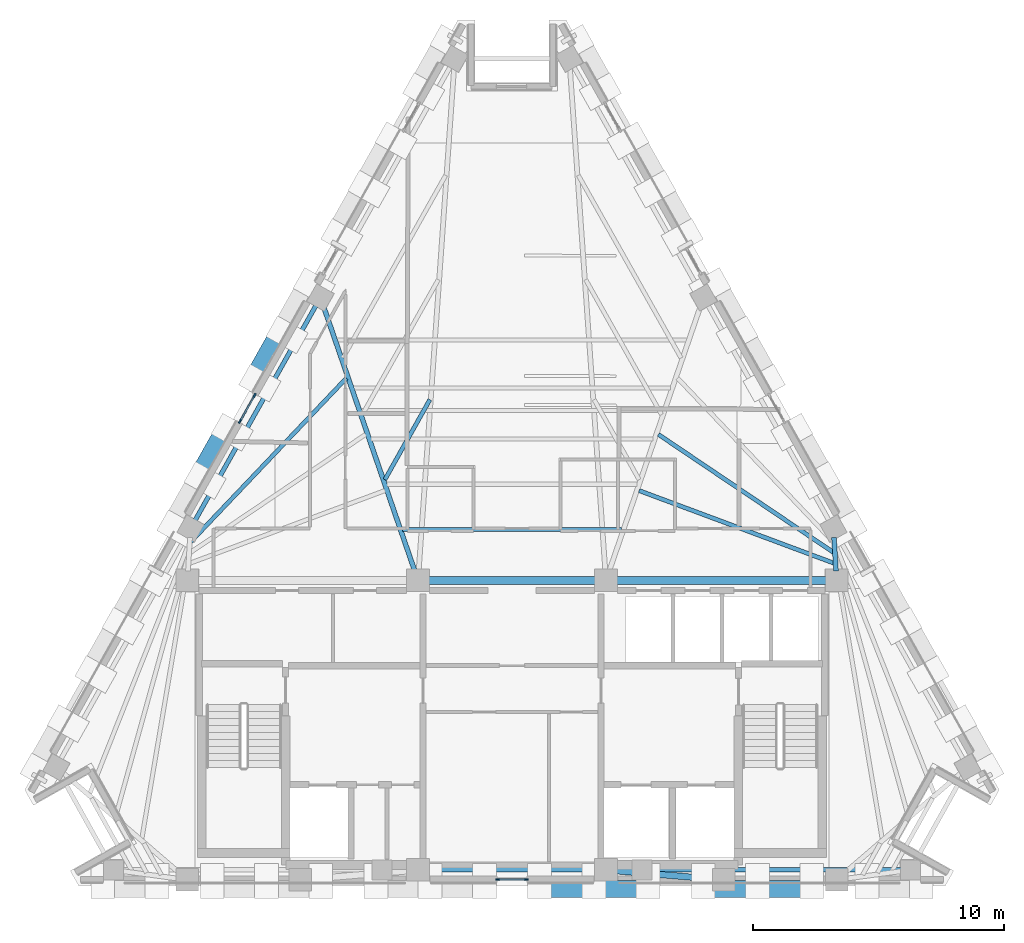
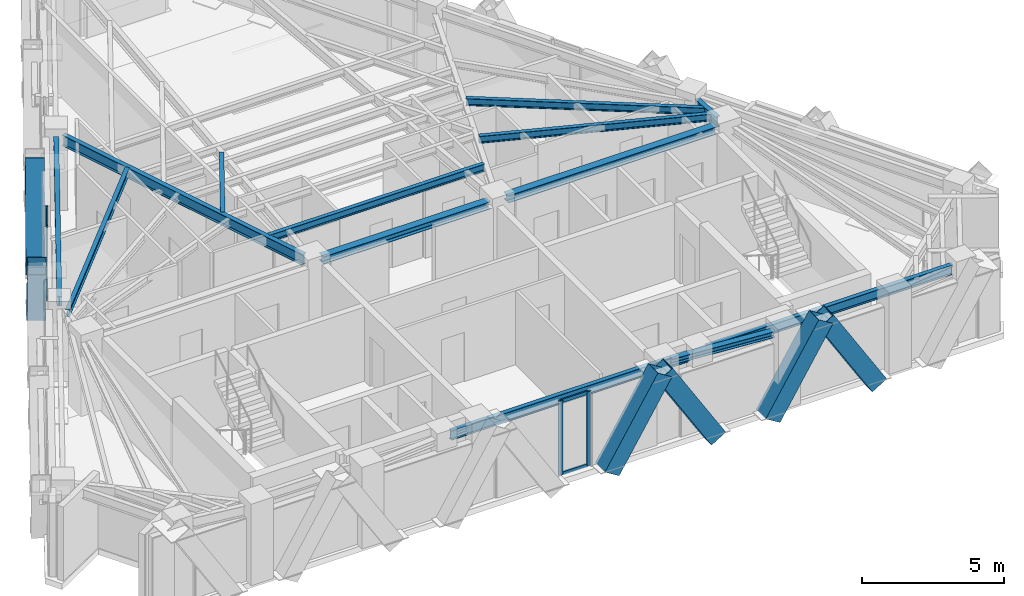
# One storey, part 2 of 9: 14 members, 13 beams, 2 elements without a shape of their own.
"""IFC4 building model written with IfcOpenShell, lengths in metres."""

import ifcopenshell
import ifcopenshell.guid

model = None  # the IFC model being written
_history = None  # IfcOwnerHistory: only IFC2X3 demands one
_inside = {}  # id of a spatial element -> (the spatial element, [elements in it])
_under = {}  # id of a project, library or spatial element -> (it, [spatial elements below it])
_declared = {}  # id of a project -> (the project, [libraries it declares])
_typed = {}  # id of a type object -> (the type object, [elements of that type])
_made_of = {}  # id of a material, layer set ... -> (it, [elements and type objects made of it])


def new_model(schema):
    """Start an empty IFC model of exactly this schema.

    Asked for "IFC4X3", IfcOpenShell would pick the latest addendum, in which some entities
    have other attributes; the version numbers below select the first issue.
    IFC2X3 requires an IfcOwnerHistory on every rooted entity: one is made here for all.
    """
    global model, _history
    if schema == "IFC4X3":
        model = ifcopenshell.file(schema_version=(4, 3, 0, 0))
    else:
        model = ifcopenshell.file(schema=schema)
    _inside.clear()
    _under.clear()
    _declared.clear()
    _typed.clear()
    _made_of.clear()
    _history = None
    if model.schema == "IFC2X3":
        org = make("IfcOrganization", Name="unknown")
        user = make(
            "IfcPersonAndOrganization",
            ThePerson=make("IfcPerson", FamilyName="unknown"),
            TheOrganization=org,
        )
        app = make(
            "IfcApplication",
            ApplicationDeveloper=org,
            Version="unknown",
            ApplicationFullName="unknown",
            ApplicationIdentifier="unknown",
        )
        _history = make(
            "IfcOwnerHistory",
            OwningUser=user,
            OwningApplication=app,
            ChangeAction="ADDED",
            CreationDate=0,
        )
    return model


def make(cls, **values):
    """One entity of the class cls with the attributes given. An attribute that is None is left unset."""
    return model.create_entity(
        cls, **{name: value for name, value in values.items() if value is not None}
    )


def rooted(cls, **values):
    """An entity with a GlobalId (a new one), such as an element, a storey or a relation."""
    return make(cls, GlobalId=ifcopenshell.guid.new(), OwnerHistory=_history, **values)


def si_unit(unit_type, name, prefix=None):
    """IfcSIUnit, for example si_unit("LENGTHUNIT", "METRE", prefix="MILLI")."""
    return make("IfcSIUnit", UnitType=unit_type, Prefix=prefix, Name=name)


def assignment(units):
    """IfcUnitAssignment: the units of a project."""
    return None if units is None else make("IfcUnitAssignment", Units=units)


def point(xyz):
    """IfcCartesianPoint."""
    return None if xyz is None else make("IfcCartesianPoint", Coordinates=xyz)


def direction(xyz):
    """IfcDirection."""
    return None if xyz is None else make("IfcDirection", DirectionRatios=xyz)


def frame(location, z_axis=None, x_axis=None):
    """IfcAxis2Placement3D, a coordinate frame: its origin and axes. An axis left out is left unset."""
    return make(
        "IfcAxis2Placement3D",
        Location=point(location),
        Axis=direction(z_axis),
        RefDirection=direction(x_axis),
    )


def frame_2d(location, x_axis=None):
    """IfcAxis2Placement2D, a coordinate frame in the plane: its origin and x axis."""
    return make(
        "IfcAxis2Placement2D", Location=point(location), RefDirection=direction(x_axis)
    )


def origin():
    """The frame at (0, 0, 0) with its axes left unset."""
    return frame((0.0, 0.0, 0.0))


def origin_2d():
    """The frame at (0, 0) in the plane with its x axis left unset."""
    return frame_2d((0.0, 0.0))


def place(relative_to, where):
    """IfcLocalPlacement: puts the frame where relative to a parent placement (None: the world)."""
    return make(
        "IfcLocalPlacement", PlacementRelTo=relative_to, RelativePlacement=where
    )


def context(
    kind, dimensions, precision=None, world=None, true_north=None, identifier=None
):
    """IfcGeometricRepresentationContext, for example the 3D "Model" context."""
    return make(
        "IfcGeometricRepresentationContext",
        ContextIdentifier=identifier,
        ContextType=kind,
        CoordinateSpaceDimension=dimensions,
        Precision=precision,
        WorldCoordinateSystem=world,
        TrueNorth=true_north,
    )


def subcontext(parent, identifier, kind, view, scale=None):
    """IfcGeometricRepresentationSubContext, for example "Body" below "Model"."""
    return make(
        "IfcGeometricRepresentationSubContext",
        ContextIdentifier=identifier,
        ContextType=kind,
        ParentContext=parent,
        TargetScale=scale,
        TargetView=view,
    )


def project(units=None, contexts=None):
    """IfcProject with its units and contexts."""
    return rooted(
        "IfcProject",
        Name="project",
        RepresentationContexts=contexts,
        UnitsInContext=assignment(units),
    )


def spatial(cls, under=None, at=None, **own):
    """A site, building, storey or space (cls), placed at a placement, below another one or the project."""
    s = rooted(cls, ObjectPlacement=at, **own)
    if under is not None:
        _under.setdefault(under.id(), (under, []))[1].append(s)
    return s


def profile(cls, at=None, kind="AREA", **sizes):
    """A parametric profile (cls). Its sizes go by their IFC names, for example OverallWidth=200.0."""
    return make(cls, ProfileType=kind, Position=at, **sizes)


def rectangle(**sizes):
    """IfcRectangleProfileDef."""
    return profile("IfcRectangleProfileDef", **sizes)


def hollow_rectangle(**sizes):
    """IfcRectangleHollowProfileDef."""
    return profile("IfcRectangleHollowProfileDef", **sizes)


def i_section(**sizes):
    """IfcIShapeProfileDef."""
    return profile("IfcIShapeProfileDef", **sizes)


def extrude(swept, where, along, depth):
    """IfcExtrudedAreaSolid: the profile swept, set in the frame where, extruded along a direction by depth."""
    return make(
        "IfcExtrudedAreaSolid",
        SweptArea=swept,
        Position=where,
        ExtrudedDirection=direction(along),
        Depth=depth,
    )


def shape(context_of_items, identifier, shape_type, items):
    """IfcShapeRepresentation: the items that make up one representation, for example the "Body"."""
    return make(
        "IfcShapeRepresentation",
        ContextOfItems=context_of_items,
        RepresentationIdentifier=identifier,
        RepresentationType=shape_type,
        Items=items,
    )


def material(Name=None, Category=None):
    """IfcMaterial."""
    return make("IfcMaterial", Name=Name, Category=Category)


def material_profile(
    of_material, cross_section, Name=None, Category=None, Priority=None
):
    """IfcMaterialProfile: a cross section and its material."""
    return make(
        "IfcMaterialProfile",
        Name=Name,
        Material=of_material,
        Profile=cross_section,
        Priority=Priority,
        Category=Category,
    )


def profile_set(profiles, Name=None, composite=None):
    """IfcMaterialProfileSet."""
    return make(
        "IfcMaterialProfileSet",
        Name=Name,
        MaterialProfiles=profiles,
        CompositeProfile=composite,
    )


def made_of(thing, what):
    """Note that an element or type object is made of a material, layer set ...; save() writes the relation."""
    if what is not None:
        _made_of.setdefault(what.id(), (what, []))[1].append(thing)
    return thing


def type_object(cls, material=None, **own):
    """A type object (cls), such as IfcWallType, which elements share."""
    return made_of(rooted(cls, **own), material)


def element(
    cls,
    number,
    at=None,
    inside=None,
    cuts=None,
    type_object=None,
    material=None,
    context=None,
    identifier="Body",
    shape_type=None,
    held_by="IfcProductDefinitionShape",
    body=None,
    shapes=None,
    **own,
):
    """One element of the class cls, such as IfcWall. Its Tag is "e" and its number.

    at: its placement. inside: the storey or other place that contains it. cuts: it is an
    opening in that element (IfcRelVoidsElement). A single representation is given by context,
    identifier, shape_type and body (its items); several are given by shapes. held_by: the class
    of the entity that holds the representations. save() writes the other relations.
    """
    e = rooted(cls, Tag="e%d" % number, ObjectPlacement=at, **own)
    if body is not None:
        shapes = [shape(context, identifier, shape_type, body)]
    if shapes is not None:
        e.Representation = make(held_by, Representations=shapes)
    if inside is not None:
        _inside.setdefault(inside.id(), (inside, []))[1].append(e)
    if cuts is not None:
        rooted(
            "IfcRelVoidsElement", RelatingBuildingElement=cuts, RelatedOpeningElement=e
        )
    if type_object is not None:
        _typed.setdefault(type_object.id(), (type_object, []))[1].append(e)
    return made_of(e, material)


def aggregate(whole, parts):
    """IfcRelAggregates: a whole, such as a stair, and the parts it consists of."""
    return rooted("IfcRelAggregates", RelatingObject=whole, RelatedObjects=parts)


def save(model, path):
    """Write the relations noted so far, then the file.

    IfcRelAggregates (storeys below a building ...), IfcRelContainedInSpatialStructure (elements
    in a storey), IfcRelDefinesByType, IfcRelAssociatesMaterial and IfcRelDeclares: one each for
    every whole, place, type object, material and project.
    """
    for whole, parts in _under.values():
        aggregate(whole, parts)
    for where, things in _inside.values():
        rooted(
            "IfcRelContainedInSpatialStructure",
            RelatedElements=things,
            RelatingStructure=where,
        )
    for kind, things in _typed.values():
        rooted("IfcRelDefinesByType", RelatedObjects=things, RelatingType=kind)
    for what, things in _made_of.values():
        rooted("IfcRelAssociatesMaterial", RelatedObjects=things, RelatingMaterial=what)
    for by, libraries in _declared.values():
        rooted("IfcRelDeclares", RelatingContext=by, RelatedDefinitions=libraries)
    model.write(path)


model = new_model("IFC4")

# Units and contexts
model_context = context("Model", 3, precision=1e-05, world=origin(), true_north=direction((0.0, 1.0)))
body_context = subcontext(model_context, "Body", "Model", "MODEL_VIEW")
ifc_project = project(units=[si_unit("LENGTHUNIT", "METRE"), si_unit("AREAUNIT", "SQUARE_METRE"), si_unit("VOLUMEUNIT", "CUBIC_METRE"), si_unit("PLANEANGLEUNIT", "RADIAN"), si_unit("MASSUNIT", "GRAM", prefix="KILO")], contexts=[model_context])

# Site, building, storey
site_placement = place(None, origin())
site = spatial("IfcSite", under=ifc_project, at=site_placement, CompositionType="ELEMENT")
building_placement = place(site_placement, origin())
building = spatial("IfcBuilding", under=site, at=building_placement, Name="Quenlor Broadcast Tower", CompositionType="ELEMENT")
storey_placement = place(building_placement, frame((0.0, 0.0, 267.39990234375)))
storey = spatial("IfcBuildingStorey", under=building, at=storey_placement, Name="L74", CompositionType="ELEMENT", Elevation=267.39990234375)

# Curtain wall, members
ifc_material_1 = material(Name="Architectural Terracotta and Low-E Glazing", Category="masonry")
curtain_wall_type = type_object("IfcCurtainWallType", Name="Unitised Terracotta Curtain Wall System Z5", PredefinedType="NOTDEFINED", material=ifc_material_1)
curtain_wall_1_placement = place(storey_placement, origin())
curtain_wall_1 = element("IfcCurtainWall", 1, at=curtain_wall_1_placement, inside=storey, type_object=curtain_wall_type, Name="L74 Curtain Wall CW5 (L74-S-G1)", PredefinedType="NOTDEFINED")
ifc_material_2 = material(Name="Aluminium 6063-T6", Category="aluminium")
ifc_material_profile_1 = material_profile(ifc_material_2, rectangle(XDim=0.06494140625, YDim=0.169921875, at=origin_2d()))
ifc_profile_set_1 = profile_set([ifc_material_profile_1], Name="Aluminium 6063-T6 MULL65x170")
member_type_1 = type_object("IfcMemberType", Name="CW5 Aluminium Mullion MULL_CW5", PredefinedType="MULLION", material=ifc_profile_set_1)
member_1_placement = place(storey_placement, frame((0.5732421875, -16.72509765625, 0.0), z_axis=(0.0, 0.0, 1.0), x_axis=(0.0, -1.0, 0.0)))
member_1 = element("IfcMember", 2, at=member_1_placement, type_object=member_type_1, Name="CW5 mullion 1", PredefinedType="MULLION", context=body_context, shape_type="SweptSolid", body=[
    extrude(rectangle(XDim=0.06494140625, YDim=0.169921875, at=origin_2d()), origin(), (0.0, 0.0, 1.0), 3.18017578125),
])
member_2_placement = place(storey_placement, frame((-0.5732421875, -16.72509765625, 0.0), z_axis=(0.0, 0.0, 1.0), x_axis=(0.0, -1.0, 0.0)))
member_2 = element("IfcMember", 3, at=member_2_placement, type_object=member_type_1, Name="CW5 mullion 2", PredefinedType="MULLION", context=body_context, shape_type="SweptSolid", body=[
    extrude(rectangle(XDim=0.06494140625, YDim=0.169921875, at=origin_2d()), origin(), (0.0, 0.0, 1.0), 3.18017578125),
])

curtain_wall_2_placement = place(storey_placement, origin())
curtain_wall_2 = element("IfcCurtainWall", 4, at=curtain_wall_2_placement, inside=storey, type_object=curtain_wall_type, Name="L74 Curtain Wall CW5 (L74-NW-G1)", PredefinedType="NOTDEFINED")
member_3_placement = place(storey_placement, frame((-10.853271484375, 1.54443359375, 0.0), z_axis=(0.0, 0.0, 1.0), x_axis=(-0.871592489955, 0.490231100048, 0.0)))
member_3 = element("IfcMember", 5, at=member_3_placement, type_object=member_type_1, Name="CW5 mullion 1", PredefinedType="MULLION", context=body_context, shape_type="SweptSolid", body=[
    extrude(rectangle(XDim=0.06494140625, YDim=0.169921875, at=origin_2d()), origin(), (0.0, 0.0, 1.0), 3.18017578125),
])
member_4_placement = place(storey_placement, frame((-10.267333984375, 2.586181640625, 0.0), z_axis=(0.0, 0.0, 1.0), x_axis=(-0.871592489955, 0.490231100048, 0.0)))
member_4 = element("IfcMember", 6, at=member_4_placement, type_object=member_type_1, Name="CW5 mullion 2", PredefinedType="MULLION", context=body_context, shape_type="SweptSolid", body=[
    extrude(rectangle(XDim=0.06494140625, YDim=0.169921875, at=origin_2d()), origin(), (0.0, 0.0, 1.0), 3.18017578125),
])

# Member
ifc_material_3 = material(Name="Aluminium 6063-T6", Category="aluminium")
ifc_material_profile_2 = material_profile(ifc_material_3, rectangle(XDim=0.06494140625, YDim=0.139892578125, at=origin_2d()))
ifc_profile_set_2 = profile_set([ifc_material_profile_2], Name="Aluminium 6063-T6 TRAN65x140")
member_type_2 = type_object("IfcMemberType", Name="CW5 Aluminium Transom TRAN_CW5", PredefinedType="USERDEFINED", material=ifc_profile_set_2)
member_5_placement = place(storey_placement, frame((0.540771484375, -16.72509765625, 0.03271484375), z_axis=(-1.0, 0.0, 0.0), x_axis=(0.0, -1.0, 0.0)))
member_5 = element("IfcMember", 7, at=member_5_placement, type_object=member_type_2, Name="CW5 transom 1.1", ObjectType="TRANSOM", PredefinedType="USERDEFINED", context=body_context, shape_type="SweptSolid", body=[
    extrude(rectangle(XDim=0.06494140625, YDim=0.139892578125, at=origin_2d()), origin(), (0.0, 0.0, 1.0), 1.08154296875),
])

member_6_placement = place(storey_placement, frame((0.540771484375, -16.72509765625, 3.147705078125), z_axis=(-1.0, 0.0, 0.0), x_axis=(0.0, -1.0, 0.0)))
member_6 = element("IfcMember", 8, at=member_6_placement, type_object=member_type_2, Name="CW5 transom 1.2", ObjectType="TRANSOM", PredefinedType="USERDEFINED", context=body_context, shape_type="SweptSolid", body=[
    extrude(rectangle(XDim=0.06494140625, YDim=0.139892578125, at=origin_2d()), origin(), (0.0, 0.0, 1.0), 1.08154296875),
])

aggregate(curtain_wall_1, [member_1, member_2, member_5, member_6])

member_7_placement = place(storey_placement, frame((-10.83740234375, 1.57275390625, 0.03271484375), z_axis=(0.490312513966, 0.871546693327, 0.0), x_axis=(-0.871546693327, 0.490312513966, 0.0)))
member_7 = element("IfcMember", 9, at=member_7_placement, type_object=member_type_2, Name="CW5 transom 1.1", ObjectType="TRANSOM", PredefinedType="USERDEFINED", context=body_context, shape_type="SweptSolid", body=[
    extrude(rectangle(XDim=0.06494140625, YDim=0.139892578125, at=origin_2d()), origin(), (0.0, 0.0, 1.0), 1.13037109375),
])

member_8_placement = place(storey_placement, frame((-10.83740234375, 1.57275390625, 3.147705078125), z_axis=(0.490312513966, 0.871546693327, 0.0), x_axis=(-0.871546693327, 0.490312513966, 0.0)))
member_8 = element("IfcMember", 10, at=member_8_placement, type_object=member_type_2, Name="CW5 transom 1.2", ObjectType="TRANSOM", PredefinedType="USERDEFINED", context=body_context, shape_type="SweptSolid", body=[
    extrude(rectangle(XDim=0.06494140625, YDim=0.139892578125, at=origin_2d()), origin(), (0.0, 0.0, 1.0), 1.13037109375),
])

aggregate(curtain_wall_2, [member_3, member_4, member_7, member_8])

# Beams
ifc_material_4 = material(Name="Steel S355", Category="steel")
ifc_material_profile_3 = material_profile(ifc_material_4, i_section(OverallWidth=0.304931640625, OverallDepth=0.30810546875, WebThickness=0.010009765625, FlangeThickness=0.015380859375, FilletRadius=0.0166015625, at=origin_2d()))
ifc_profile_set_3 = profile_set([ifc_material_profile_3], Name="Steel S355 310UC96.8")
beam_type_1 = type_object("IfcBeamType", Name="Core Header Beam Steel S355 310UC96.8", PredefinedType="BEAM", material=ifc_profile_set_3)
beam_1_placement = place(storey_placement, frame((-3.389892578125, -4.800048828125, 3.026123046875), z_axis=(1.0, 0.0, 0.0), x_axis=(0.0, 1.0, 0.0)))
element("IfcBeam", 11, at=beam_1_placement, inside=storey, type_object=beam_type_1, Name="L74 Core Header Beam 2", PredefinedType="BEAM", context=body_context, shape_type="SweptSolid", body=[
    extrude(i_section(OverallWidth=0.304931640625, OverallDepth=0.30810546875, WebThickness=0.010009765625, FlangeThickness=0.015380859375, FilletRadius=0.0166015625, at=origin_2d()), origin(), (0.0, 0.0, 1.0), 6.77978515625),
])
ifc_material_5 = material(Name="Steel S355", Category="steel")
ifc_material_profile_4 = material_profile(ifc_material_5, i_section(OverallWidth=0.25390625, OverallDepth=0.25390625, WebThickness=0.008544921875, FlangeThickness=0.01416015625, FilletRadius=0.013916015625, at=origin_2d()))
ifc_profile_set_4 = profile_set([ifc_material_profile_4], Name="Steel S355 250UC72.9")
beam_type_2 = type_object("IfcBeamType", Name="Core Opening Lintel Beam Steel S355 250UC72.9", PredefinedType="LINTEL", material=ifc_profile_set_4)
beam_2_placement = place(storey_placement, frame((4.108642578125, -16.380615234375, 3.05322265625), z_axis=(0.996399763903, -0.084779186679, 0.0), x_axis=(0.084779186679, 0.996399763903, 0.0)))
element("IfcBeam", 12, at=beam_2_placement, inside=storey, type_object=beam_type_2, Name="L74 Core Opening Lintel Beam 5", PredefinedType="LINTEL", context=body_context, shape_type="SweptSolid", body=[
    extrude(i_section(OverallWidth=0.25390625, OverallDepth=0.25390625, WebThickness=0.008544921875, FlangeThickness=0.01416015625, FilletRadius=0.013916015625, at=origin_2d()), origin(), (0.0, 0.0, 1.0), 3.9970703125),
])
ifc_material_6 = material(Name="Steel S355", Category="steel")
ifc_material_profile_5 = material_profile(ifc_material_6, i_section(OverallWidth=0.306884765625, OverallDepth=0.314697265625, WebThickness=0.011962890625, FlangeThickness=0.018798828125, FilletRadius=0.0166015625, at=origin_2d()))
ifc_profile_set_5 = profile_set([ifc_material_profile_5], Name="Steel S355 310UC118")
beam_type_3 = type_object("IfcBeamType", Name="Core Tie Beam Steel S355 310UC118", PredefinedType="BEAM", material=ifc_profile_set_5)
beam_3_placement = place(storey_placement, frame((4.110107421875, -4.800048828125, 3.022705078125), z_axis=(1.0, 0.0, 0.0), x_axis=(0.0, 1.0, 0.0)))
element("IfcBeam", 13, at=beam_3_placement, inside=storey, type_object=beam_type_3, Name="L74 Core Tie Beam 3", PredefinedType="BEAM", context=body_context, shape_type="SweptSolid", body=[
    extrude(i_section(OverallWidth=0.306884765625, OverallDepth=0.314697265625, WebThickness=0.011962890625, FlangeThickness=0.018798828125, FilletRadius=0.0166015625, at=origin_2d()), origin(), (0.0, 0.0, 1.0), 8.47998046875),
])

# Members
ifc_material_7 = material(Name="Steel S355", Category="steel")
ifc_material_profile_6 = material_profile(ifc_material_7, hollow_rectangle(XDim=0.679931640625, YDim=0.679931640625, WallThickness=0.02001953125, at=origin_2d()))
ifc_profile_set_6 = profile_set([ifc_material_profile_6], Name="Steel S355 RHS680x680x20")
member_type_3 = type_object("IfcMemberType", Name="Perimeter Diagonal Lattice Brace Z5-Crown Steel S355 RHS680x20", PredefinedType="BRACE", material=ifc_profile_set_6)
for number, where, z_axis, x_axis, name in (
    (14, (11.96240234375, -17.1201171875, -0.119873046875), (-0.5236596973, 0.0, 0.851927532965), (0.0, -1.0, 0.0), "L74 Perimeter Diamond Lattice S-C1S"),
    (15, (5.430419921875, -17.1201171875, -0.119873046875), (-0.5236596973, 0.0, 0.851927532965), (0.0, -1.0, 0.0), "L74 Perimeter Diamond Lattice S-C2S"),
):
    element("IfcMember", number, at=place(storey_placement, frame(where, z_axis=z_axis, x_axis=x_axis)), inside=storey, type_object=member_type_3, Name=name, PredefinedType="BRACE", context=body_context, shape_type="SweptSolid", body=[
        extrude(hollow_rectangle(XDim=0.679931640625, YDim=0.679931640625, WallThickness=0.02001953125, at=origin_2d()), origin(), (0.0, 0.0, 1.0), 4.1083984375),
    ])
for number, where, z_axis, x_axis, name in (
    (16, (7.6337890625, -17.1201171875, -0.119873046875), (0.523616565236, 0.0, 0.85195404372), (0.0, 1.0, 0.0), "L74 Perimeter Diamond Lattice S-C2B"),
    (17, (1.101806640625, -17.1201171875, -0.119873046875), (0.523616565236, 0.0, 0.85195404372), (0.0, 1.0, 0.0), "L74 Perimeter Diamond Lattice S-C3B"),
):
    element("IfcMember", number, at=place(storey_placement, frame(where, z_axis=z_axis, x_axis=x_axis)), inside=storey, type_object=member_type_3, Name=name, PredefinedType="BRACE", context=body_context, shape_type="SweptSolid", body=[
        extrude(hollow_rectangle(XDim=0.679931640625, YDim=0.679931640625, WallThickness=0.02001953125, at=origin_2d()), origin(), (0.0, 0.0, 1.0), 4.108154296875),
    ])
for number, where, z_axis, x_axis, name in (
    (18, (-10.35302734375, 3.2392578125, -0.119873046875), (0.260563732169, 0.463283497491, 0.847038926161), (-0.871602253711, 0.49021374045, 0.0), "L74 Perimeter Diamond Lattice NW-C3S"),
    (19, (-11.4560546875, 1.2783203125, -0.119873046875), (-0.260618804175, -0.463276364439, 0.847025884529), (0.8715547569, -0.490298180422, 0.0), "L74 Perimeter Diamond Lattice NW-C3B"),
):
    element("IfcMember", number, at=place(storey_placement, frame(where, z_axis=z_axis, x_axis=x_axis)), inside=storey, type_object=member_type_3, Name=name, PredefinedType="BRACE", context=body_context, shape_type="SweptSolid", body=[
        extrude(hollow_rectangle(XDim=0.679931640625, YDim=0.679931640625, WallThickness=0.02001953125, at=origin_2d()), origin(), (0.0, 0.0, 1.0), 4.132080078125),
    ])

# Beams
ifc_material_8 = material(Name="Steel S355", Category="steel")
ifc_material_profile_7 = material_profile(ifc_material_8, i_section(OverallWidth=0.177978515625, OverallDepth=0.406494140625, WebThickness=0.0078125, FlangeThickness=0.0126953125, FilletRadius=0.011474609375, at=origin_2d()))
ifc_profile_set_7 = profile_set([ifc_material_profile_7], Name="Steel S355 410UB59.7")
beam_type_4 = type_object("IfcBeamType", Name="Perimeter Spandrel Beam Z5 Steel S355 410UB59.7", PredefinedType="SPANDREL", material=ifc_profile_set_7)
beam_4_placement = place(storey_placement, frame((-4.823974609375, -16.35009765625, 2.976806640625), z_axis=(1.0, 0.0, 0.0), x_axis=(0.0, 1.0, 0.0)))
element("IfcBeam", 20, at=beam_4_placement, inside=storey, type_object=beam_type_4, Name="L74 Spandrel Beam S2-S3", PredefinedType="SPANDREL", context=body_context, shape_type="SweptSolid", body=[
    extrude(i_section(OverallWidth=0.177978515625, OverallDepth=0.406494140625, WebThickness=0.0078125, FlangeThickness=0.0126953125, FilletRadius=0.011474609375, at=origin_2d()), origin(), (0.0, 0.0, 1.0), 9.64794921875),
])
beam_5_placement = place(storey_placement, frame((5.5439453125, -16.35009765625, 2.976806640625), z_axis=(1.0, 0.0, 0.0), x_axis=(0.0, 1.0, 0.0)))
element("IfcBeam", 21, at=beam_5_placement, inside=storey, type_object=beam_type_4, Name="L74 Spandrel Beam S3-S4", PredefinedType="SPANDREL", context=body_context, shape_type="SweptSolid", body=[
    extrude(i_section(OverallWidth=0.177978515625, OverallDepth=0.406494140625, WebThickness=0.0078125, FlangeThickness=0.0126953125, FilletRadius=0.011474609375, at=origin_2d()), origin(), (0.0, 0.0, 1.0), 9.99365234375),
])
beam_6_placement = place(storey_placement, frame((-7.818115234375, 6.175537109375, 2.976806640625), z_axis=(-0.49024947634, -0.871582153872, 0.0), x_axis=(0.871582153872, -0.49024947634, 0.0)))
element("IfcBeam", 22, at=beam_6_placement, inside=storey, type_object=beam_type_4, Name="L74 Spandrel Beam NW2-NW3", PredefinedType="SPANDREL", context=body_context, shape_type="SweptSolid", body=[
    extrude(i_section(OverallWidth=0.177978515625, OverallDepth=0.406494140625, WebThickness=0.0078125, FlangeThickness=0.0126953125, FilletRadius=0.011474609375, at=origin_2d()), origin(), (0.0, 0.0, 1.0), 9.853759765625),
])
ifc_material_9 = material(Name="Steel S355", Category="steel")
ifc_material_profile_8 = material_profile(ifc_material_9, i_section(OverallWidth=0.166015625, OverallDepth=0.30712890625, WebThickness=0.006591796875, FlangeThickness=0.01171875, FilletRadius=0.011474609375, at=origin_2d()))
ifc_profile_set_8 = profile_set([ifc_material_profile_8], Name="Steel S355 310UB46.2")
beam_type_5 = type_object("IfcBeamType", Name="Tower Composite Joist Z4-Z5 Steel S355 310UB46.2", PredefinedType="JOIST", material=ifc_profile_set_8)
beam_7_placement = place(storey_placement, frame((-4.37060546875, -2.767822265625, 3.026611328125), z_axis=(1.0, 0.0, 0.0), x_axis=(0.0, 1.0, 0.0)))
element("IfcBeam", 23, at=beam_7_placement, inside=storey, type_object=beam_type_5, Name="L74 Secondary Composite Joist 1", PredefinedType="JOIST", context=body_context, shape_type="SweptSolid", body=[
    extrude(i_section(OverallWidth=0.166015625, OverallDepth=0.30712890625, WebThickness=0.006591796875, FlangeThickness=0.01171875, FilletRadius=0.011474609375, at=origin_2d()), origin(), (0.0, 0.0, 1.0), 8.7412109375),
])
beam_8_placement = place(storey_placement, frame((-12.80517578125, -3.249267578125, 3.026611328125), z_axis=(0.689023306429, 0.724739182877, 0.0), x_axis=(-0.724739182877, 0.689023306429, 0.0)))
element("IfcBeam", 24, at=beam_8_placement, inside=storey, type_object=beam_type_5, Name="L74 Secondary Composite Joist 9", PredefinedType="JOIST", context=body_context, shape_type="SweptSolid", body=[
    extrude(i_section(OverallWidth=0.166015625, OverallDepth=0.30712890625, WebThickness=0.006591796875, FlangeThickness=0.01171875, FilletRadius=0.011474609375, at=origin_2d()), origin(), (0.0, 0.0, 1.0), 8.99560546875),
])
beam_9_placement = place(storey_placement, frame((12.835205078125, -4.108642578125, 3.026611328125), z_axis=(-0.937062080226, 0.349162795559, 0.0), x_axis=(-0.349162795559, -0.937062080226, 0.0)))
element("IfcBeam", 25, at=beam_9_placement, inside=storey, type_object=beam_type_5, Name="L74 Secondary Composite Joist 10", PredefinedType="JOIST", context=body_context, shape_type="SweptSolid", body=[
    extrude(i_section(OverallWidth=0.166015625, OverallDepth=0.30712890625, WebThickness=0.006591796875, FlangeThickness=0.01171875, FilletRadius=0.011474609375, at=origin_2d()), origin(), (0.0, 0.0, 1.0), 8.286376953125),
])
beam_10_placement = place(storey_placement, frame((12.81884765625, -3.67724609375, 3.026611328125), z_axis=(-0.829286301475, 0.558823970661, 0.0), x_axis=(-0.558823970661, -0.829286301475, 0.0)))
element("IfcBeam", 26, at=beam_10_placement, inside=storey, type_object=beam_type_5, Name="L74 Secondary Composite Joist 11", PredefinedType="JOIST", context=body_context, shape_type="SweptSolid", body=[
    extrude(i_section(OverallWidth=0.166015625, OverallDepth=0.30712890625, WebThickness=0.006591796875, FlangeThickness=0.01171875, FilletRadius=0.011474609375, at=origin_2d()), origin(), (0.0, 0.0, 1.0), 8.415771484375),
])
beam_11_placement = place(storey_placement, frame((-3.2763671875, 2.41455078125, 3.026611328125), z_axis=(-0.490258076222, -0.871577316535, 0.0), x_axis=(0.871577316535, -0.490258076222, 0.0)))
element("IfcBeam", 27, at=beam_11_placement, inside=storey, type_object=beam_type_5, Name="L74 Secondary Composite Joist 25", PredefinedType="JOIST", context=body_context, shape_type="SweptSolid", body=[
    extrude(i_section(OverallWidth=0.166015625, OverallDepth=0.30712890625, WebThickness=0.006591796875, FlangeThickness=0.01171875, FilletRadius=0.011474609375, at=origin_2d()), origin(), (0.0, 0.0, 1.0), 3.6640625),
])
ifc_material_10 = material(Name="Steel S355", Category="steel")
ifc_material_profile_9 = material_profile(ifc_material_10, i_section(OverallWidth=0.19091796875, OverallDepth=0.46044921875, WebThickness=0.010009765625, FlangeThickness=0.01611328125, FilletRadius=0.011474609375, at=origin_2d()))
ifc_profile_set_9 = profile_set([ifc_material_profile_9], Name="Steel S355 460UB82.1")
beam_type_6 = type_object("IfcBeamType", Name="Tower Primary Floor Beam Z5 Steel S355 460UB82.1", PredefinedType="BEAM", material=ifc_profile_set_9)
beam_12_placement = place(storey_placement, frame((12.84716796875, -3.086181640625, 2.949951171875), z_axis=(0.059899569349, -0.998204408722, 0.0), x_axis=(0.998204408722, 0.059899569349, 0.0)))
element("IfcBeam", 28, at=beam_12_placement, inside=storey, type_object=beam_type_6, Name="L74 Primary Radial Beam NE2", PredefinedType="BEAM", context=body_context, shape_type="SweptSolid", body=[
    extrude(i_section(OverallWidth=0.19091796875, OverallDepth=0.46044921875, WebThickness=0.010009765625, FlangeThickness=0.01611328125, FilletRadius=0.011474609375, at=origin_2d()), origin(), (0.0, 0.0, 1.0), 1.3369140625),
])
beam_13_placement = place(storey_placement, frame((-7.524169921875, 6.14892578125, 2.949951171875), z_axis=(0.325895297662, -0.945405867848, 0.0), x_axis=(0.945405867848, 0.325895297662, 0.0)))
element("IfcBeam", 29, at=beam_13_placement, inside=storey, type_object=beam_type_6, Name="L74 Primary Radial Beam NW2", PredefinedType="BEAM", context=body_context, shape_type="SweptSolid", body=[
    extrude(i_section(OverallWidth=0.19091796875, OverallDepth=0.46044921875, WebThickness=0.010009765625, FlangeThickness=0.01611328125, FilletRadius=0.011474609375, at=origin_2d()), origin(), (0.0, 0.0, 1.0), 11.201171875),
])

save(model, "model.ifc")
